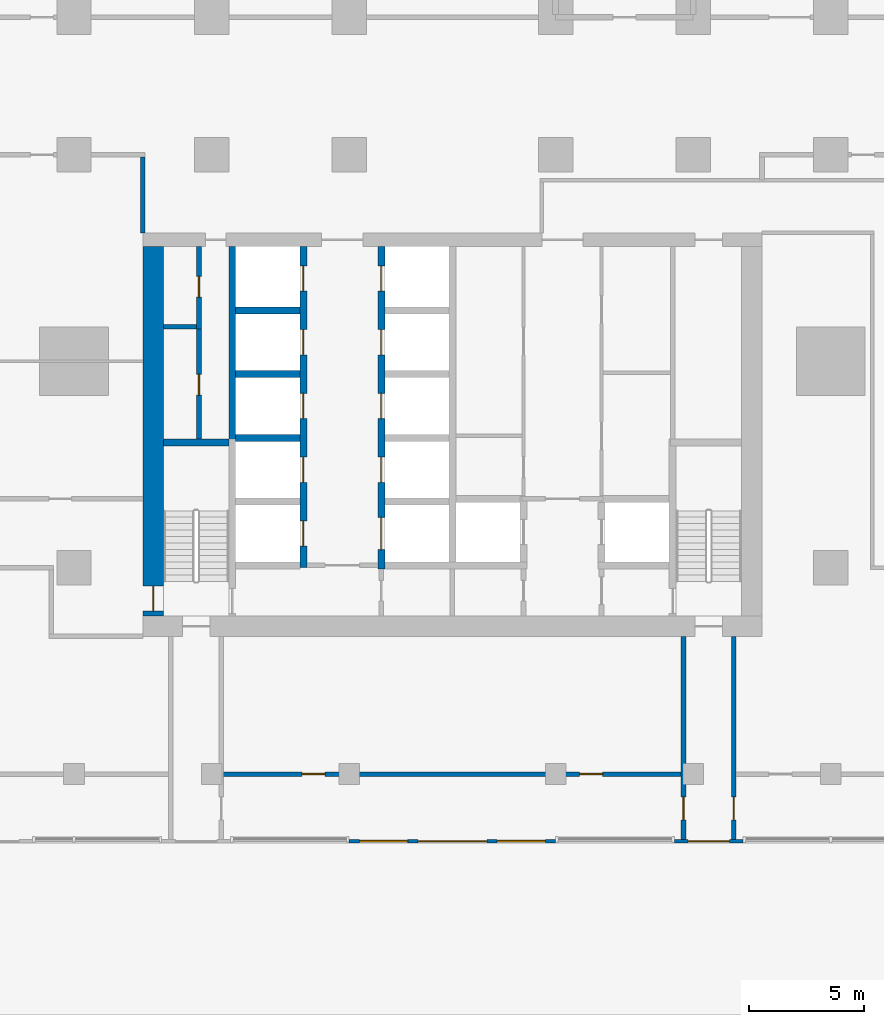
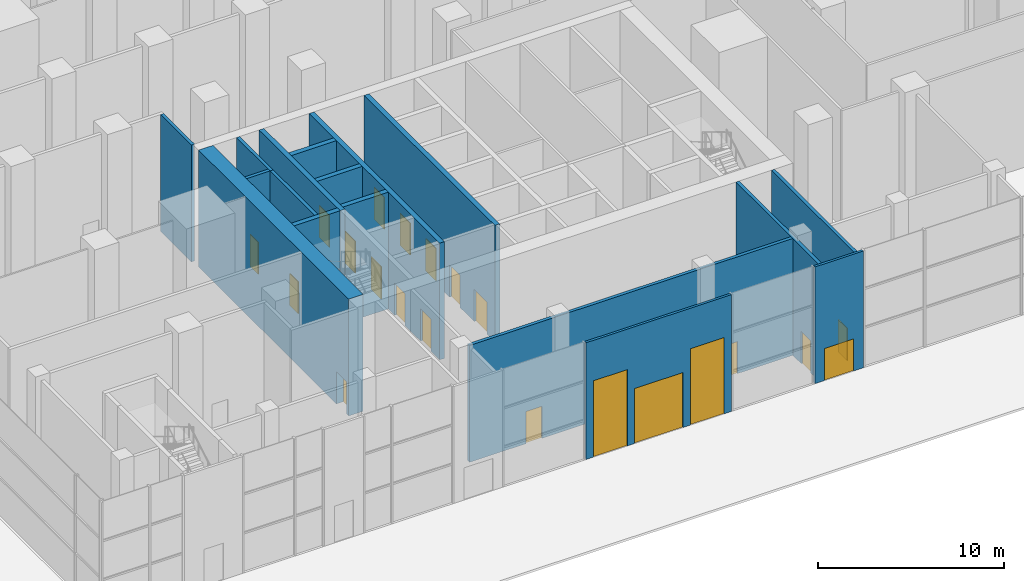
# One storey, part 18 of 29: 19 doors, 17 walls, 2 windows, 21 openings.
"""IFC4 building model written with IfcOpenShell, lengths in metres."""

from ifc_helpers import new_model, si_unit, direction, frame, frame_2d, origin, place, context, subcontext, project, spatial, rectangle, extrude, material, layer, layer_set, type_object, element, fill, save


model = new_model("IFC4")

# Units and contexts
model_context = context("Model", 3, precision=1e-05, world=origin(), true_north=direction((0.0, 1.0)))
body_context = subcontext(model_context, "Body", "Model", "MODEL_VIEW")
ifc_project = project(units=[si_unit("LENGTHUNIT", "METRE"), si_unit("AREAUNIT", "SQUARE_METRE"), si_unit("VOLUMEUNIT", "CUBIC_METRE"), si_unit("PLANEANGLEUNIT", "RADIAN"), si_unit("MASSUNIT", "GRAM", prefix="KILO")], contexts=[model_context])

# Site, building, storey
site_placement = place(None, origin())
site = spatial("IfcSite", under=ifc_project, at=site_placement, CompositionType="ELEMENT")
building_placement = place(site_placement, origin())
building = spatial("IfcBuilding", under=site, at=building_placement, Name="Finial Court Residences", CompositionType="ELEMENT")
storey_placement = place(building_placement, origin())
storey = spatial("IfcBuildingStorey", under=building, at=storey_placement, Name="L00", CompositionType="ELEMENT", Elevation=0.0)

# Wall, opening, door
ifc_material_1 = material(Name="Concrete C80/95", Category="concrete")
ifc_layer_1 = layer(ifc_material_1, 0.89990234375)
ifc_layer_set_1 = layer_set([ifc_layer_1], Name="Core outer wall 900 Concrete C80/95")
wall_type_1 = type_object("IfcWallType", Name="Core outer wall 900 Concrete C80/95", PredefinedType="SHEAR", material=ifc_layer_set_1)
wall_1_placement = place(storey_placement, frame((-13.050048828125, -8.5, 0.0), z_axis=(0.0, 0.0, 1.0), x_axis=(0.0, -1.0, 0.0)))
wall_1 = element("IfcWall", 1, at=wall_1_placement, inside=storey, type_object=wall_type_1, Name="Core outer wall L00-03", PredefinedType="SHEAR", context=body_context, shape_type="SweptSolid", body=[
    extrude(rectangle(XDim=16.10009765625, YDim=0.89990234375, at=frame_2d((8.050048828125, 0.0))), origin(), (0.0, 0.0, 1.0), 7.64990234375),
])
opening_1_placement = place(wall_1_placement, frame((14.800048828125, 0.0, 0.0)))
opening_1 = element("IfcOpeningElement", 2, at=opening_1_placement, cuts=wall_1, Name="Opening L00-C20", PredefinedType="OPENING", context=body_context, shape_type="SweptSolid", body=[
    extrude(rectangle(XDim=1.10009765625, YDim=2.10009765625, at=frame_2d((0.550048828125, 1.050048828125))), frame((0.0, 0.4599609375, 0.0), z_axis=(0.0, -1.0, 0.0), x_axis=(1.0, 0.0, 0.0)), (0.0, 0.0, 1.0), 0.919921875),
])
ifc_material_2 = material(Name="Steel fire door", Category="steel")
door_type_1 = type_object("IfcDoorType", Name="Stair door 1100 x 2100 EI 90", OperationType="NOTDEFINED", PredefinedType="DOOR", material=ifc_material_2)
door_1_placement = place(opening_1_placement, origin())
door_1 = element("IfcDoor", 3, at=door_1_placement, inside=storey, type_object=door_type_1, Name="Stair door L00-C20", OperationType="SINGLE_SWING_RIGHT", OverallHeight=2.10009765625, OverallWidth=1.10009765625, PredefinedType="DOOR", context=body_context, shape_type="SweptSolid", body=[
    extrude(rectangle(XDim=1.10009765625, YDim=2.10009765625, at=frame_2d((0.550048828125, 1.050048828125))), frame((0.0, 0.02490234375, 0.0), z_axis=(0.0, -1.0, 0.0), x_axis=(1.0, 0.0, 0.0)), (0.0, 0.0, 1.0), 0.050048828125),
])
fill(opening_1, door_1)

# Wall, openings, doors
ifc_material_3 = material(Name="Gypsum board")
ifc_layer_2 = layer(ifc_material_3, 0.02490234375)
ifc_material_4 = material(Name="Acoustic mineral wool in double frame")
ifc_layer_3 = layer(ifc_material_4, 0.14990234375)
ifc_layer_4 = layer(ifc_material_3, 0.02490234375)
ifc_layer_set_2 = layer_set([ifc_layer_2, ifc_layer_3, ifc_layer_4], Name="Corridor wall 200, 1 hour")
wall_type_2 = type_object("IfcWallType", Name="Corridor wall 200, 1 hour", PredefinedType="PARTITIONING", material=ifc_layer_set_2)
wall_2_placement = place(storey_placement, frame((-10.050048828125, -31.5, 0.0), z_axis=(0.0, 0.0, 1.0), x_axis=(1.0, 0.0, 0.0)))
wall_2 = element("IfcWall", 4, at=wall_2_placement, inside=storey, type_object=wall_type_2, Name="Partition L00-002", PredefinedType="PARTITIONING", context=body_context, shape_type="SweptSolid", body=[
    extrude(rectangle(XDim=20.10009765625, YDim=0.199951171875, at=frame_2d((10.050048828125, 0.0))), origin(), (0.0, 0.0, 1.0), 7.64990234375),
])
opening_2_placement = place(wall_2_placement, frame((3.5, 0.0, 0.0)))
opening_2 = element("IfcOpeningElement", 5, at=opening_2_placement, cuts=wall_2, Name="Opening L00-D001", PredefinedType="OPENING", context=body_context, shape_type="SweptSolid", body=[
    extrude(rectangle(XDim=1.0, YDim=2.10009765625, at=frame_2d((0.5, 1.050048828125))), frame((0.0, 0.10986328125, 0.0), z_axis=(0.0, -1.0, 0.0), x_axis=(1.0, 0.0, 0.0)), (0.0, 0.0, 1.0), 0.219970703125),
])
opening_3_placement = place(wall_2_placement, frame((15.60009765625, 0.0, 0.0)))
opening_3 = element("IfcOpeningElement", 6, at=opening_3_placement, cuts=wall_2, Name="Opening L00-D002", PredefinedType="OPENING", context=body_context, shape_type="SweptSolid", body=[
    extrude(rectangle(XDim=1.0, YDim=2.10009765625, at=frame_2d((0.5, 1.050048828125))), frame((0.0, 0.10986328125, 0.0), z_axis=(0.0, -1.0, 0.0), x_axis=(1.0, 0.0, 0.0)), (0.0, 0.0, 1.0), 0.219970703125),
])
ifc_material_5 = material(Name="Timber door leaf in hollow metal frame", Category="wood")
door_type_2 = type_object("IfcDoorType", Name="Fire door set 1000 x 2100, 30 minutes", OperationType="SINGLE_SWING_LEFT", PredefinedType="DOOR", material=ifc_material_5)
door_2_placement = place(opening_2_placement, origin())
door_2 = element("IfcDoor", 7, at=door_2_placement, inside=storey, type_object=door_type_2, Name="Door L00-D001", OperationType="SINGLE_SWING_RIGHT", OverallHeight=2.10009765625, OverallWidth=1.0, PredefinedType="DOOR", context=body_context, shape_type="SweptSolid", body=[
    extrude(rectangle(XDim=1.0, YDim=2.10009765625, at=frame_2d((0.5, 1.050048828125))), frame((0.0, 0.02490234375, 0.0), z_axis=(0.0, -1.0, 0.0), x_axis=(1.0, 0.0, 0.0)), (0.0, 0.0, 1.0), 0.050048828125),
])
fill(opening_2, door_2)
door_3_placement = place(opening_3_placement, origin())
door_3 = element("IfcDoor", 8, at=door_3_placement, inside=storey, type_object=door_type_2, Name="Door L00-D002", OperationType="SINGLE_SWING_LEFT", OverallHeight=2.10009765625, OverallWidth=1.0, PredefinedType="DOOR", context=body_context, shape_type="SweptSolid", body=[
    extrude(rectangle(XDim=1.0, YDim=2.10009765625, at=frame_2d((0.5, 1.050048828125))), frame((0.0, 0.02490234375, 0.0), z_axis=(0.0, -1.0, 0.0), x_axis=(1.0, 0.0, 0.0)), (0.0, 0.0, 1.0), 0.050048828125),
])
fill(opening_3, door_3)

# Wall
wall_3_placement = place(storey_placement, frame((-13.5, -7.89990234375, 0.0), z_axis=(0.0, 0.0, 1.0), x_axis=(0.0, 1.0, 0.0)))
element("IfcWall", 9, at=wall_3_placement, inside=storey, type_object=wall_type_2, Name="Partition L00-041", PredefinedType="PARTITIONING", context=body_context, shape_type="SweptSolid", body=[
    extrude(rectangle(XDim=3.2998046875, YDim=0.199951171875, at=frame_2d((1.64990234375, 0.0))), origin(), (0.0, 0.0, 1.0), 7.64990234375),
])

# Wall, openings, door, windows
ifc_material_6 = material(Name="Natural limestone", Category="masonry")
ifc_layer_5 = layer(ifc_material_6, 0.14990234375)
ifc_layer_set_3 = layer_set([ifc_layer_5], Name="Entrance portal wall, limestone 150")
wall_type_3 = type_object("IfcWallType", Name="Entrance portal wall, limestone 150", PredefinedType="SOLIDWALL", material=ifc_layer_set_3)
wall_4_placement = place(storey_placement, frame((4.5, -34.425048828125, 0.0), z_axis=(0.0, 0.0, 1.0), x_axis=(-1.0, 0.0, 0.0)))
wall_4 = element("IfcWall", 10, at=wall_4_placement, inside=storey, type_object=wall_type_3, Name="E-L00-ENT1", PredefinedType="SOLIDWALL", context=body_context, shape_type="SweptSolid", body=[
    extrude(rectangle(XDim=9.0, YDim=0.14990234375, at=frame_2d((4.5, 0.0))), origin(), (0.0, 0.0, 1.0), 7.64990234375),
])
opening_4_placement = place(wall_4_placement, frame((3.0, 0.0, 0.0)))
opening_4 = element("IfcOpeningElement", 11, at=opening_4_placement, cuts=wall_4, Name="Opening DE00-01", PredefinedType="OPENING", context=body_context, shape_type="SweptSolid", body=[
    extrude(rectangle(XDim=3.0, YDim=3.60009765625, at=frame_2d((1.5, 1.800048828125))), frame((0.0, 0.0849609375, 0.0), z_axis=(0.0, -1.0, 0.0), x_axis=(1.0, 0.0, 0.0)), (0.0, 0.0, 1.0), 0.169921875),
])
opening_5_placement = place(wall_4_placement, frame((6.449951171875, 0.0, 0.0)))
opening_5 = element("IfcOpeningElement", 12, at=opening_5_placement, cuts=wall_4, Name="Opening WE00-01", PredefinedType="OPENING", context=body_context, shape_type="SweptSolid", body=[
    extrude(rectangle(XDim=2.10009765625, YDim=5.0, at=frame_2d((1.050048828125, 2.5))), frame((0.0, 0.0849609375, 0.0), z_axis=(0.0, -1.0, 0.0), x_axis=(1.0, 0.0, 0.0)), (0.0, 0.0, 1.0), 0.169921875),
])
opening_6_placement = place(wall_4_placement, frame((0.449951171875, 0.0, 0.0)))
opening_6 = element("IfcOpeningElement", 13, at=opening_6_placement, cuts=wall_4, Name="Opening WE00-02", PredefinedType="OPENING", context=body_context, shape_type="SweptSolid", body=[
    extrude(rectangle(XDim=2.10009765625, YDim=5.0, at=frame_2d((1.050048828125, 2.5))), frame((0.0, 0.0849609375, 0.0), z_axis=(0.0, -1.0, 0.0), x_axis=(1.0, 0.0, 0.0)), (0.0, 0.0, 1.0), 0.169921875),
])
ifc_material_7 = material(Name="Bronze anodised aluminium", Category="aluminium")
door_type_3 = type_object("IfcDoorType", Name="Entrance door set 3000 x 3600", OperationType="DOUBLE_DOOR_SINGLE_SWING", PredefinedType="DOOR", material=ifc_material_7)
door_4_placement = place(opening_4_placement, origin())
door_4 = element("IfcDoor", 14, at=door_4_placement, inside=storey, type_object=door_type_3, Name="E-L00-ENT1-D", OperationType="DOUBLE_DOOR_SINGLE_SWING", OverallHeight=3.60009765625, OverallWidth=3.0, PredefinedType="DOOR", context=body_context, shape_type="SweptSolid", body=[
    extrude(rectangle(XDim=3.0, YDim=3.60009765625, at=frame_2d((1.5, 1.800048828125))), frame((0.0, 0.02490234375, 0.0), z_axis=(0.0, -1.0, 0.0), x_axis=(1.0, 0.0, 0.0)), (0.0, 0.0, 1.0), 0.050048828125),
])
fill(opening_4, door_4)
ifc_material_8 = material(Name="Clear low-e glass", Category="glass")
window_type = type_object("IfcWindowType", Name="Entrance side light 2100 x 5000", PartitioningType="SINGLE_PANEL", PredefinedType="WINDOW", material=ifc_material_8)
window_1_placement = place(opening_5_placement, origin())
window_1 = element("IfcWindow", 15, at=window_1_placement, inside=storey, type_object=window_type, Name="E-L00-ENT1-W1", OverallHeight=5.0, OverallWidth=2.10009765625, PartitioningType="SINGLE_PANEL", PredefinedType="WINDOW", context=body_context, shape_type="SweptSolid", body=[
    extrude(rectangle(XDim=2.10009765625, YDim=5.0, at=frame_2d((1.050048828125, 2.5))), frame((0.0, 0.030029296875, 0.0), z_axis=(0.0, -1.0, 0.0), x_axis=(1.0, 0.0, 0.0)), (0.0, 0.0, 1.0), 0.06005859375),
])
fill(opening_5, window_1)
window_2_placement = place(opening_6_placement, origin())
window_2 = element("IfcWindow", 16, at=window_2_placement, inside=storey, type_object=window_type, Name="E-L00-ENT1-W2", OverallHeight=5.0, OverallWidth=2.10009765625, PartitioningType="SINGLE_PANEL", PredefinedType="WINDOW", context=body_context, shape_type="SweptSolid", body=[
    extrude(rectangle(XDim=2.10009765625, YDim=5.0, at=frame_2d((1.050048828125, 2.5))), frame((0.0, 0.030029296875, 0.0), z_axis=(0.0, -1.0, 0.0), x_axis=(1.0, 0.0, 0.0)), (0.0, 0.0, 1.0), 0.06005859375),
])
fill(opening_6, window_2)

# Wall, opening, door
wall_5_placement = place(storey_placement, frame((12.675048828125, -34.425048828125, 0.0), z_axis=(0.0, 0.0, 1.0), x_axis=(-1.0, 0.0, 0.0)))
wall_5 = element("IfcWall", 17, at=wall_5_placement, inside=storey, type_object=wall_type_3, Name="E-L00-ENT3", PredefinedType="SOLIDWALL", context=body_context, shape_type="SweptSolid", body=[
    extrude(rectangle(XDim=3.0, YDim=0.14990234375, at=frame_2d((1.5, 0.0))), origin(), (0.0, 0.0, 1.0), 7.64990234375),
])
opening_7_placement = place(wall_5_placement, frame((0.60009765625, 0.0, 0.0)))
opening_7 = element("IfcOpeningElement", 18, at=opening_7_placement, cuts=wall_5, Name="Opening DE00-03", PredefinedType="OPENING", context=body_context, shape_type="SweptSolid", body=[
    extrude(rectangle(XDim=1.800048828125, YDim=2.10009765625, at=frame_2d((0.89990234375, 1.050048828125))), frame((0.0, 0.0849609375, 0.0), z_axis=(0.0, -1.0, 0.0), x_axis=(1.0, 0.0, 0.0)), (0.0, 0.0, 1.0), 0.169921875),
])
ifc_material_9 = material(Name="Steel S355", Category="steel")
door_type_4 = type_object("IfcDoorType", Name="Stair discharge door 1800 x 2100", OperationType="DOUBLE_DOOR_SINGLE_SWING", PredefinedType="DOOR", material=ifc_material_9)
door_5_placement = place(opening_7_placement, origin())
door_5 = element("IfcDoor", 19, at=door_5_placement, inside=storey, type_object=door_type_4, Name="E-L00-ENT3-D", OperationType="DOUBLE_DOOR_SINGLE_SWING", OverallHeight=2.10009765625, OverallWidth=1.800048828125, PredefinedType="DOOR", context=body_context, shape_type="SweptSolid", body=[
    extrude(rectangle(XDim=1.800048828125, YDim=2.10009765625, at=frame_2d((0.89990234375, 1.050048828125))), frame((0.0, 0.02490234375, 0.0), z_axis=(0.0, -1.0, 0.0), x_axis=(1.0, 0.0, 0.0)), (0.0, 0.0, 1.0), 0.050048828125),
])
fill(opening_7, door_5)

ifc_material_10 = material(Name="Fire-rated gypsum board partition")
ifc_layer_6 = layer(ifc_material_10, 0.199951171875)
ifc_layer_set_4 = layer_set([ifc_layer_6], Name="Exit passage wall 200 EI 120")
wall_type_4 = type_object("IfcWallType", Name="Exit passage wall 200 EI 120", PredefinedType="PARTITIONING", material=ifc_layer_set_4)
wall_6_placement = place(storey_placement, frame((10.074951171875, -25.5, 0.0), z_axis=(0.0, 0.0, 1.0), x_axis=(0.0, -1.0, 0.0)))
wall_6 = element("IfcWall", 20, at=wall_6_placement, inside=storey, type_object=wall_type_4, Name="Exit passage wall ST-2 W", PredefinedType="PARTITIONING", context=body_context, shape_type="SweptSolid", body=[
    extrude(rectangle(XDim=8.85009765625, YDim=0.199951171875, at=frame_2d((4.425048828125, 0.0))), origin(), (0.0, 0.0, 1.0), 7.64990234375),
])
opening_8_placement = place(wall_6_placement, frame((7.0, 0.0, 0.0)))
opening_8 = element("IfcOpeningElement", 21, at=opening_8_placement, cuts=wall_6, Name="Opening L00-P02", PredefinedType="OPENING", context=body_context, shape_type="SweptSolid", body=[
    extrude(rectangle(XDim=1.0, YDim=2.10009765625, at=frame_2d((0.5, 1.050048828125))), frame((0.0, 0.10986328125, 0.0), z_axis=(0.0, -1.0, 0.0), x_axis=(1.0, 0.0, 0.0)), (0.0, 0.0, 1.0), 0.219970703125),
])
door_type_5 = type_object("IfcDoorType", Name="Stair door 1000 x 2100 EI 90", OperationType="NOTDEFINED", PredefinedType="DOOR", material=ifc_material_2)
door_6_placement = place(opening_8_placement, origin())
door_6 = element("IfcDoor", 22, at=door_6_placement, inside=storey, type_object=door_type_5, Name="Exit passage door ST-2 W", OperationType="SINGLE_SWING_LEFT", OverallHeight=2.10009765625, OverallWidth=1.0, PredefinedType="DOOR", context=body_context, shape_type="SweptSolid", body=[
    extrude(rectangle(XDim=1.0, YDim=2.10009765625, at=frame_2d((0.5, 1.050048828125))), frame((0.0, 0.02490234375, 0.0), z_axis=(0.0, -1.0, 0.0), x_axis=(1.0, 0.0, 0.0)), (0.0, 0.0, 1.0), 0.050048828125),
])
fill(opening_8, door_6)

wall_7_placement = place(storey_placement, frame((12.27490234375, -34.35009765625, 0.0), z_axis=(0.0, 0.0, 1.0), x_axis=(0.0, 1.0, 0.0)))
wall_7 = element("IfcWall", 23, at=wall_7_placement, inside=storey, type_object=wall_type_4, Name="Exit passage wall ST-2 E", PredefinedType="PARTITIONING", context=body_context, shape_type="SweptSolid", body=[
    extrude(rectangle(XDim=8.85009765625, YDim=0.199951171875, at=frame_2d((4.425048828125, 0.0))), origin(), (0.0, 0.0, 1.0), 7.64990234375),
])
opening_9_placement = place(wall_7_placement, frame((0.85009765625, 0.0, 0.0)))
opening_9 = element("IfcOpeningElement", 24, at=opening_9_placement, cuts=wall_7, Name="Opening L00-P03", PredefinedType="OPENING", context=body_context, shape_type="SweptSolid", body=[
    extrude(rectangle(XDim=1.0, YDim=2.10009765625, at=frame_2d((0.5, 1.050048828125))), frame((0.0, 0.10986328125, 0.0), z_axis=(0.0, -1.0, 0.0), x_axis=(1.0, 0.0, 0.0)), (0.0, 0.0, 1.0), 0.219970703125),
])
door_7_placement = place(opening_9_placement, origin())
door_7 = element("IfcDoor", 25, at=door_7_placement, inside=storey, type_object=door_type_5, Name="Exit passage door ST-2 E", OperationType="SINGLE_SWING_LEFT", OverallHeight=2.10009765625, OverallWidth=1.0, PredefinedType="DOOR", context=body_context, shape_type="SweptSolid", body=[
    extrude(rectangle(XDim=1.0, YDim=2.10009765625, at=frame_2d((0.5, 1.050048828125))), frame((0.0, 0.02490234375, 0.0), z_axis=(0.0, -1.0, 0.0), x_axis=(1.0, 0.0, 0.0)), (0.0, 0.0, 1.0), 0.050048828125),
])
fill(opening_9, door_7)

# Walls
ifc_layer_7 = layer(ifc_material_1, 0.300048828125)
ifc_layer_set_5 = layer_set([ifc_layer_7], Name="Lift shaft and stair wall 300 Concrete C80/95")
wall_type_5 = type_object("IfcWallType", Name="Lift shaft and stair wall 300 Concrete C80/95", PredefinedType="SHEAR", material=ifc_layer_set_5)
wall_8_placement = place(storey_placement, frame((-12.60009765625, -17.050048828125, 0.0), z_axis=(0.0, 0.0, 1.0), x_axis=(1.0, 0.0, 0.0)))
element("IfcWall", 26, at=wall_8_placement, inside=storey, type_object=wall_type_5, Name="Core wall L00-10", PredefinedType="SHEAR", context=body_context, shape_type="SweptSolid", body=[
    extrude(rectangle(XDim=2.85009765625, YDim=0.300048828125, at=frame_2d((1.425048828125, 0.0))), origin(), (0.0, 0.0, 1.0), 7.64990234375),
])
for number, where, z_axis, x_axis, name in (
    (27, (-9.449951171875, -16.840087890625, 0.0), (0.0, 0.0, 1.0), (1.0, 0.0, 0.0), "Core wall L00-12"),
    (28, (-9.449951171875, -14.06005859375, 0.0), (0.0, 0.0, 1.0), (1.0, 0.0, 0.0), "Core wall L00-15"),
    (29, (-9.449951171875, -11.280029296875, 0.0), (0.0, 0.0, 1.0), (1.0, 0.0, 0.0), "Core wall L00-19"),
):
    element("IfcWall", number, at=place(storey_placement, frame(where, z_axis=z_axis, x_axis=x_axis)), inside=storey, type_object=wall_type_5, Name=name, PredefinedType="SHEAR", context=body_context, shape_type="SweptSolid", body=[
        extrude(rectangle(XDim=2.800048828125, YDim=0.300048828125, at=frame_2d((1.39990234375, 0.0))), origin(), (0.0, 0.0, 1.0), 7.64990234375),
    ])
wall_9_placement = place(storey_placement, frame((-9.60009765625, -17.199951171875, 0.0), z_axis=(0.0, 0.0, 1.0), x_axis=(0.0, 1.0, 0.0)))
element("IfcWall", 30, at=wall_9_placement, inside=storey, type_object=wall_type_5, Name="Core wall L00-24", PredefinedType="SHEAR", context=body_context, shape_type="SweptSolid", body=[
    extrude(rectangle(XDim=8.699951171875, YDim=0.300048828125, at=frame_2d((4.35009765625, 0.0))), origin(), (0.0, 0.0, 1.0), 7.64990234375),
])

# Wall, openings, doors
wall_10_placement = place(storey_placement, frame((-6.5, -22.5, 0.0), z_axis=(0.0, 0.0, 1.0), x_axis=(0.0, 1.0, 0.0)))
wall_10 = element("IfcWall", 31, at=wall_10_placement, inside=storey, type_object=wall_type_5, Name="Core wall L00-25", PredefinedType="SHEAR", context=body_context, shape_type="SweptSolid", body=[
    extrude(rectangle(XDim=14.0, YDim=0.300048828125, at=frame_2d((7.0, 0.0))), origin(), (0.0, 0.0, 1.0), 7.64990234375),
])
opening_10_placement = place(wall_10_placement, frame((0.93994140625, 0.0, 0.0)))
opening_10 = element("IfcOpeningElement", 32, at=opening_10_placement, cuts=wall_10, Name="Opening L00-LD03", PredefinedType="OPENING", context=body_context, shape_type="SweptSolid", body=[
    extrude(rectangle(XDim=1.10009765625, YDim=2.10009765625, at=frame_2d((0.550048828125, 1.050048828125))), frame((0.0, 0.159912109375, 0.0), z_axis=(0.0, -1.0, 0.0), x_axis=(1.0, 0.0, 0.0)), (0.0, 0.0, 1.0), 0.320068359375),
])
opening_11_placement = place(wall_10_placement, frame((3.719970703125, 0.0, 0.0)))
opening_11 = element("IfcOpeningElement", 33, at=opening_11_placement, cuts=wall_10, Name="Opening L00-LD04", PredefinedType="OPENING", context=body_context, shape_type="SweptSolid", body=[
    extrude(rectangle(XDim=1.10009765625, YDim=2.10009765625, at=frame_2d((0.550048828125, 1.050048828125))), frame((0.0, 0.159912109375, 0.0), z_axis=(0.0, -1.0, 0.0), x_axis=(1.0, 0.0, 0.0)), (0.0, 0.0, 1.0), 0.320068359375),
])
opening_12_placement = place(wall_10_placement, frame((6.5, 0.0, 0.0)))
opening_12 = element("IfcOpeningElement", 34, at=opening_12_placement, cuts=wall_10, Name="Opening L00-LD05", PredefinedType="OPENING", context=body_context, shape_type="SweptSolid", body=[
    extrude(rectangle(XDim=1.10009765625, YDim=2.10009765625, at=frame_2d((0.550048828125, 1.050048828125))), frame((0.0, 0.159912109375, 0.0), z_axis=(0.0, -1.0, 0.0), x_axis=(1.0, 0.0, 0.0)), (0.0, 0.0, 1.0), 0.320068359375),
])
opening_13_placement = place(wall_10_placement, frame((9.280029296875, 0.0, 0.0)))
opening_13 = element("IfcOpeningElement", 35, at=opening_13_placement, cuts=wall_10, Name="Opening L00-LD06", PredefinedType="OPENING", context=body_context, shape_type="SweptSolid", body=[
    extrude(rectangle(XDim=1.10009765625, YDim=2.10009765625, at=frame_2d((0.550048828125, 1.050048828125))), frame((0.0, 0.159912109375, 0.0), z_axis=(0.0, -1.0, 0.0), x_axis=(1.0, 0.0, 0.0)), (0.0, 0.0, 1.0), 0.320068359375),
])
opening_14_placement = place(wall_10_placement, frame((12.06005859375, 0.0, 0.0)))
opening_14 = element("IfcOpeningElement", 36, at=opening_14_placement, cuts=wall_10, Name="Opening L00-LD07", PredefinedType="OPENING", context=body_context, shape_type="SweptSolid", body=[
    extrude(rectangle(XDim=1.10009765625, YDim=2.10009765625, at=frame_2d((0.550048828125, 1.050048828125))), frame((0.0, 0.159912109375, 0.0), z_axis=(0.0, -1.0, 0.0), x_axis=(1.0, 0.0, 0.0)), (0.0, 0.0, 1.0), 0.320068359375),
])
ifc_material_11 = material(Name="Stainless steel lift door", Category="steel")
door_type_6 = type_object("IfcDoorType", Name="Lift landing door 1100 x 2100 EI 90", OperationType="DOUBLE_DOOR_SLIDING", PredefinedType="DOOR", material=ifc_material_11)
door_8_placement = place(opening_10_placement, origin())
door_8 = element("IfcDoor", 37, at=door_8_placement, inside=storey, type_object=door_type_6, Name="Lift landing door LR1 L00", OperationType="DOUBLE_DOOR_SLIDING", OverallHeight=2.10009765625, OverallWidth=1.10009765625, PredefinedType="DOOR", context=body_context, shape_type="SweptSolid", body=[
    extrude(rectangle(XDim=1.10009765625, YDim=2.10009765625, at=frame_2d((0.550048828125, 1.050048828125))), frame((0.0, 0.02490234375, 0.0), z_axis=(0.0, -1.0, 0.0), x_axis=(1.0, 0.0, 0.0)), (0.0, 0.0, 1.0), 0.050048828125),
])
fill(opening_10, door_8)
door_9_placement = place(opening_11_placement, origin())
door_9 = element("IfcDoor", 38, at=door_9_placement, inside=storey, type_object=door_type_6, Name="Lift landing door LR2 L00", OperationType="DOUBLE_DOOR_SLIDING", OverallHeight=2.10009765625, OverallWidth=1.10009765625, PredefinedType="DOOR", context=body_context, shape_type="SweptSolid", body=[
    extrude(rectangle(XDim=1.10009765625, YDim=2.10009765625, at=frame_2d((0.550048828125, 1.050048828125))), frame((0.0, 0.02490234375, 0.0), z_axis=(0.0, -1.0, 0.0), x_axis=(1.0, 0.0, 0.0)), (0.0, 0.0, 1.0), 0.050048828125),
])
fill(opening_11, door_9)
door_10_placement = place(opening_12_placement, origin())
door_10 = element("IfcDoor", 39, at=door_10_placement, inside=storey, type_object=door_type_6, Name="Lift landing door LR3 L00", OperationType="DOUBLE_DOOR_SLIDING", OverallHeight=2.10009765625, OverallWidth=1.10009765625, PredefinedType="DOOR", context=body_context, shape_type="SweptSolid", body=[
    extrude(rectangle(XDim=1.10009765625, YDim=2.10009765625, at=frame_2d((0.550048828125, 1.050048828125))), frame((0.0, 0.02490234375, 0.0), z_axis=(0.0, -1.0, 0.0), x_axis=(1.0, 0.0, 0.0)), (0.0, 0.0, 1.0), 0.050048828125),
])
fill(opening_12, door_10)
door_11_placement = place(opening_13_placement, origin())
door_11 = element("IfcDoor", 40, at=door_11_placement, inside=storey, type_object=door_type_6, Name="Lift landing door LR4 L00", OperationType="DOUBLE_DOOR_SLIDING", OverallHeight=2.10009765625, OverallWidth=1.10009765625, PredefinedType="DOOR", context=body_context, shape_type="SweptSolid", body=[
    extrude(rectangle(XDim=1.10009765625, YDim=2.10009765625, at=frame_2d((0.550048828125, 1.050048828125))), frame((0.0, 0.02490234375, 0.0), z_axis=(0.0, -1.0, 0.0), x_axis=(1.0, 0.0, 0.0)), (0.0, 0.0, 1.0), 0.050048828125),
])
fill(opening_13, door_11)
door_12_placement = place(opening_14_placement, origin())
door_12 = element("IfcDoor", 41, at=door_12_placement, inside=storey, type_object=door_type_6, Name="Lift landing door LR5 L00", OperationType="DOUBLE_DOOR_SLIDING", OverallHeight=2.10009765625, OverallWidth=1.10009765625, PredefinedType="DOOR", context=body_context, shape_type="SweptSolid", body=[
    extrude(rectangle(XDim=1.10009765625, YDim=2.10009765625, at=frame_2d((0.550048828125, 1.050048828125))), frame((0.0, 0.02490234375, 0.0), z_axis=(0.0, -1.0, 0.0), x_axis=(1.0, 0.0, 0.0)), (0.0, 0.0, 1.0), 0.050048828125),
])
fill(opening_14, door_12)

wall_11_placement = place(storey_placement, frame((-3.10009765625, -22.550048828125, 0.0), z_axis=(0.0, 0.0, 1.0), x_axis=(0.0, 1.0, 0.0)))
wall_11 = element("IfcWall", 42, at=wall_11_placement, inside=storey, type_object=wall_type_5, Name="Core wall L00-27", PredefinedType="SHEAR", context=body_context, shape_type="SweptSolid", body=[
    extrude(rectangle(XDim=14.050048828125, YDim=0.300048828125, at=frame_2d((7.02490234375, 0.0))), origin(), (0.0, 0.0, 1.0), 7.64990234375),
])
opening_15_placement = place(wall_11_placement, frame((12.110107421875, 0.0, 0.0)))
opening_15 = element("IfcOpeningElement", 43, at=opening_15_placement, cuts=wall_11, Name="Opening L00-LD08", PredefinedType="OPENING", context=body_context, shape_type="SweptSolid", body=[
    extrude(rectangle(XDim=1.10009765625, YDim=2.10009765625, at=frame_2d((0.550048828125, 1.050048828125))), frame((0.0, 0.159912109375, 0.0), z_axis=(0.0, -1.0, 0.0), x_axis=(1.0, 0.0, 0.0)), (0.0, 0.0, 1.0), 0.320068359375),
])
opening_16_placement = place(wall_11_placement, frame((3.77001953125, 0.0, 0.0)))
opening_16 = element("IfcOpeningElement", 44, at=opening_16_placement, cuts=wall_11, Name="Opening L00-LD09", PredefinedType="OPENING", context=body_context, shape_type="SweptSolid", body=[
    extrude(rectangle(XDim=1.10009765625, YDim=2.10009765625, at=frame_2d((0.550048828125, 1.050048828125))), frame((0.0, 0.159912109375, 0.0), z_axis=(0.0, -1.0, 0.0), x_axis=(1.0, 0.0, 0.0)), (0.0, 0.0, 1.0), 0.320068359375),
])
opening_17_placement = place(wall_11_placement, frame((6.550048828125, 0.0, 0.0)))
opening_17 = element("IfcOpeningElement", 45, at=opening_17_placement, cuts=wall_11, Name="Opening L00-LD10", PredefinedType="OPENING", context=body_context, shape_type="SweptSolid", body=[
    extrude(rectangle(XDim=1.10009765625, YDim=2.10009765625, at=frame_2d((0.550048828125, 1.050048828125))), frame((0.0, 0.159912109375, 0.0), z_axis=(0.0, -1.0, 0.0), x_axis=(1.0, 0.0, 0.0)), (0.0, 0.0, 1.0), 0.320068359375),
])
opening_18_placement = place(wall_11_placement, frame((9.330078125, 0.0, 0.0)))
opening_18 = element("IfcOpeningElement", 46, at=opening_18_placement, cuts=wall_11, Name="Opening L00-LD11", PredefinedType="OPENING", context=body_context, shape_type="SweptSolid", body=[
    extrude(rectangle(XDim=1.10009765625, YDim=2.10009765625, at=frame_2d((0.550048828125, 1.050048828125))), frame((0.0, 0.159912109375, 0.0), z_axis=(0.0, -1.0, 0.0), x_axis=(1.0, 0.0, 0.0)), (0.0, 0.0, 1.0), 0.320068359375),
])
opening_19_placement = place(wall_11_placement, frame((0.840087890625, 0.0, 0.0)))
opening_19 = element("IfcOpeningElement", 47, at=opening_19_placement, cuts=wall_11, Name="Opening L00-LD12", PredefinedType="OPENING", context=body_context, shape_type="SweptSolid", body=[
    extrude(rectangle(XDim=1.39990234375, YDim=2.10009765625, at=frame_2d((0.699951171875, 1.050048828125))), frame((0.0, 0.159912109375, 0.0), z_axis=(0.0, -1.0, 0.0), x_axis=(1.0, 0.0, 0.0)), (0.0, 0.0, 1.0), 0.320068359375),
])
door_13_placement = place(opening_15_placement, origin())
door_13 = element("IfcDoor", 48, at=door_13_placement, inside=storey, type_object=door_type_6, Name="Lift landing door LR6 L00", OperationType="DOUBLE_DOOR_SLIDING", OverallHeight=2.10009765625, OverallWidth=1.10009765625, PredefinedType="DOOR", context=body_context, shape_type="SweptSolid", body=[
    extrude(rectangle(XDim=1.10009765625, YDim=2.10009765625, at=frame_2d((0.550048828125, 1.050048828125))), frame((0.0, 0.02490234375, 0.0), z_axis=(0.0, -1.0, 0.0), x_axis=(1.0, 0.0, 0.0)), (0.0, 0.0, 1.0), 0.050048828125),
])
fill(opening_15, door_13)
door_14_placement = place(opening_16_placement, origin())
door_14 = element("IfcDoor", 49, at=door_14_placement, inside=storey, type_object=door_type_6, Name="Lift landing door SH1 L00", OperationType="DOUBLE_DOOR_SLIDING", OverallHeight=2.10009765625, OverallWidth=1.10009765625, PredefinedType="DOOR", context=body_context, shape_type="SweptSolid", body=[
    extrude(rectangle(XDim=1.10009765625, YDim=2.10009765625, at=frame_2d((0.550048828125, 1.050048828125))), frame((0.0, 0.02490234375, 0.0), z_axis=(0.0, -1.0, 0.0), x_axis=(1.0, 0.0, 0.0)), (0.0, 0.0, 1.0), 0.050048828125),
])
fill(opening_16, door_14)
door_15_placement = place(opening_17_placement, origin())
door_15 = element("IfcDoor", 50, at=door_15_placement, inside=storey, type_object=door_type_6, Name="Lift landing door SH2 L00", OperationType="DOUBLE_DOOR_SLIDING", OverallHeight=2.10009765625, OverallWidth=1.10009765625, PredefinedType="DOOR", context=body_context, shape_type="SweptSolid", body=[
    extrude(rectangle(XDim=1.10009765625, YDim=2.10009765625, at=frame_2d((0.550048828125, 1.050048828125))), frame((0.0, 0.02490234375, 0.0), z_axis=(0.0, -1.0, 0.0), x_axis=(1.0, 0.0, 0.0)), (0.0, 0.0, 1.0), 0.050048828125),
])
fill(opening_17, door_15)
door_16_placement = place(opening_18_placement, origin())
door_16 = element("IfcDoor", 51, at=door_16_placement, inside=storey, type_object=door_type_6, Name="Lift landing door SH3 L00", OperationType="DOUBLE_DOOR_SLIDING", OverallHeight=2.10009765625, OverallWidth=1.10009765625, PredefinedType="DOOR", context=body_context, shape_type="SweptSolid", body=[
    extrude(rectangle(XDim=1.10009765625, YDim=2.10009765625, at=frame_2d((0.550048828125, 1.050048828125))), frame((0.0, 0.02490234375, 0.0), z_axis=(0.0, -1.0, 0.0), x_axis=(1.0, 0.0, 0.0)), (0.0, 0.0, 1.0), 0.050048828125),
])
fill(opening_18, door_16)
door_type_7 = type_object("IfcDoorType", Name="Lift landing door 1400 x 2100 EI 90", OperationType="DOUBLE_DOOR_SLIDING", PredefinedType="DOOR", material=ifc_material_11)
door_17_placement = place(opening_19_placement, origin())
door_17 = element("IfcDoor", 52, at=door_17_placement, inside=storey, type_object=door_type_7, Name="Lift landing door SV1 L00", OperationType="DOUBLE_DOOR_SLIDING", OverallHeight=2.10009765625, OverallWidth=1.39990234375, PredefinedType="DOOR", context=body_context, shape_type="SweptSolid", body=[
    extrude(rectangle(XDim=1.39990234375, YDim=2.10009765625, at=frame_2d((0.699951171875, 1.050048828125))), frame((0.0, 0.02490234375, 0.0), z_axis=(0.0, -1.0, 0.0), x_axis=(1.0, 0.0, 0.0)), (0.0, 0.0, 1.0), 0.050048828125),
])
fill(opening_19, door_17)

# Wall
ifc_layer_8 = layer(ifc_material_10, 0.199951171875)
ifc_layer_set_6 = layer_set([ifc_layer_8], Name="Riser room wall 200 EI 120")
wall_type_6 = type_object("IfcWallType", Name="Riser room wall 200 EI 120", PredefinedType="PARTITIONING", material=ifc_layer_set_6)
wall_12_placement = place(storey_placement, frame((-12.60009765625, -12.0, 0.0), z_axis=(0.0, 0.0, 1.0), x_axis=(1.0, 0.0, 0.0)))
element("IfcWall", 53, at=wall_12_placement, inside=storey, type_object=wall_type_6, Name="Core partition L00-18", PredefinedType="PARTITIONING", context=body_context, shape_type="SweptSolid", body=[
    extrude(rectangle(XDim=1.4501953125, YDim=0.199951171875, at=frame_2d((0.72509765625, 0.0))), origin(), (0.0, 0.0, 1.0), 7.64990234375),
])

# Wall, opening, door
wall_13_placement = place(storey_placement, frame((-11.050048828125, -12.10009765625, 0.0), z_axis=(0.0, 0.0, 1.0), x_axis=(0.0, 1.0, 0.0)))
wall_13 = element("IfcWall", 54, at=wall_13_placement, inside=storey, type_object=wall_type_6, Name="Core partition L00-22", PredefinedType="PARTITIONING", context=body_context, shape_type="SweptSolid", body=[
    extrude(rectangle(XDim=3.60009765625, YDim=0.199951171875, at=frame_2d((1.800048828125, 0.0))), origin(), (0.0, 0.0, 1.0), 7.64990234375),
])
opening_20_placement = place(wall_13_placement, frame((1.39990234375, 0.0, 0.0)))
opening_20 = element("IfcOpeningElement", 55, at=opening_20_placement, cuts=wall_13, Name="Opening L00-C09", PredefinedType="OPENING", context=body_context, shape_type="SweptSolid", body=[
    extrude(rectangle(XDim=0.89990234375, YDim=2.10009765625, at=frame_2d((0.449951171875, 1.050048828125))), frame((0.0, 0.10986328125, 0.0), z_axis=(0.0, -1.0, 0.0), x_axis=(1.0, 0.0, 0.0)), (0.0, 0.0, 1.0), 0.219970703125),
])
door_type_8 = type_object("IfcDoorType", Name="Riser room door 900 x 2100 EI 90", OperationType="NOTDEFINED", PredefinedType="DOOR", material=ifc_material_2)
door_18_placement = place(opening_20_placement, origin())
door_18 = element("IfcDoor", 56, at=door_18_placement, inside=storey, type_object=door_type_8, Name="Riser room door L00-C09", OperationType="SINGLE_SWING_LEFT", OverallHeight=2.10009765625, OverallWidth=0.89990234375, PredefinedType="DOOR", context=body_context, shape_type="SweptSolid", body=[
    extrude(rectangle(XDim=0.89990234375, YDim=2.10009765625, at=frame_2d((0.449951171875, 1.050048828125))), frame((0.0, 0.02490234375, 0.0), z_axis=(0.0, -1.0, 0.0), x_axis=(1.0, 0.0, 0.0)), (0.0, 0.0, 1.0), 0.050048828125),
])
fill(opening_20, door_18)

ifc_layer_9 = layer(ifc_material_10, 0.199951171875)
ifc_layer_set_7 = layer_set([ifc_layer_9], Name="Stair passage wall 200 EI 180")
wall_type_7 = type_object("IfcWallType", Name="Stair passage wall 200 EI 180", PredefinedType="PARTITIONING", material=ifc_layer_set_7)
wall_14_placement = place(storey_placement, frame((-11.050048828125, -16.89990234375, 0.0), z_axis=(0.0, 0.0, 1.0), x_axis=(0.0, 1.0, 0.0)))
wall_14 = element("IfcWall", 57, at=wall_14_placement, inside=storey, type_object=wall_type_7, Name="Core partition L00-21", PredefinedType="PARTITIONING", context=body_context, shape_type="SweptSolid", body=[
    extrude(rectangle(XDim=5.0, YDim=0.199951171875, at=frame_2d((2.5, 0.0))), origin(), (0.0, 0.0, 1.0), 7.64990234375),
])
opening_21_placement = place(wall_14_placement, frame((1.925048828125, 0.0, 0.0)))
opening_21 = element("IfcOpeningElement", 58, at=opening_21_placement, cuts=wall_14, Name="Opening L00-C13", PredefinedType="OPENING", context=body_context, shape_type="SweptSolid", body=[
    extrude(rectangle(XDim=0.89990234375, YDim=2.10009765625, at=frame_2d((0.449951171875, 1.050048828125))), frame((0.0, 0.10986328125, 0.0), z_axis=(0.0, -1.0, 0.0), x_axis=(1.0, 0.0, 0.0)), (0.0, 0.0, 1.0), 0.219970703125),
])
door_type_9 = type_object("IfcDoorType", Name="Core room door 900 x 2100 EI 60", OperationType="NOTDEFINED", PredefinedType="DOOR", material=ifc_material_2)
door_19_placement = place(opening_21_placement, origin())
door_19 = element("IfcDoor", 59, at=door_19_placement, inside=storey, type_object=door_type_9, Name="Core room door L00-C13", OperationType="SINGLE_SWING_LEFT", OverallHeight=2.10009765625, OverallWidth=0.89990234375, PredefinedType="DOOR", context=body_context, shape_type="SweptSolid", body=[
    extrude(rectangle(XDim=0.89990234375, YDim=2.10009765625, at=frame_2d((0.449951171875, 1.050048828125))), frame((0.0, 0.02490234375, 0.0), z_axis=(0.0, -1.0, 0.0), x_axis=(1.0, 0.0, 0.0)), (0.0, 0.0, 1.0), 0.050048828125),
])
fill(opening_21, door_19)

save(model, "model.ifc")
